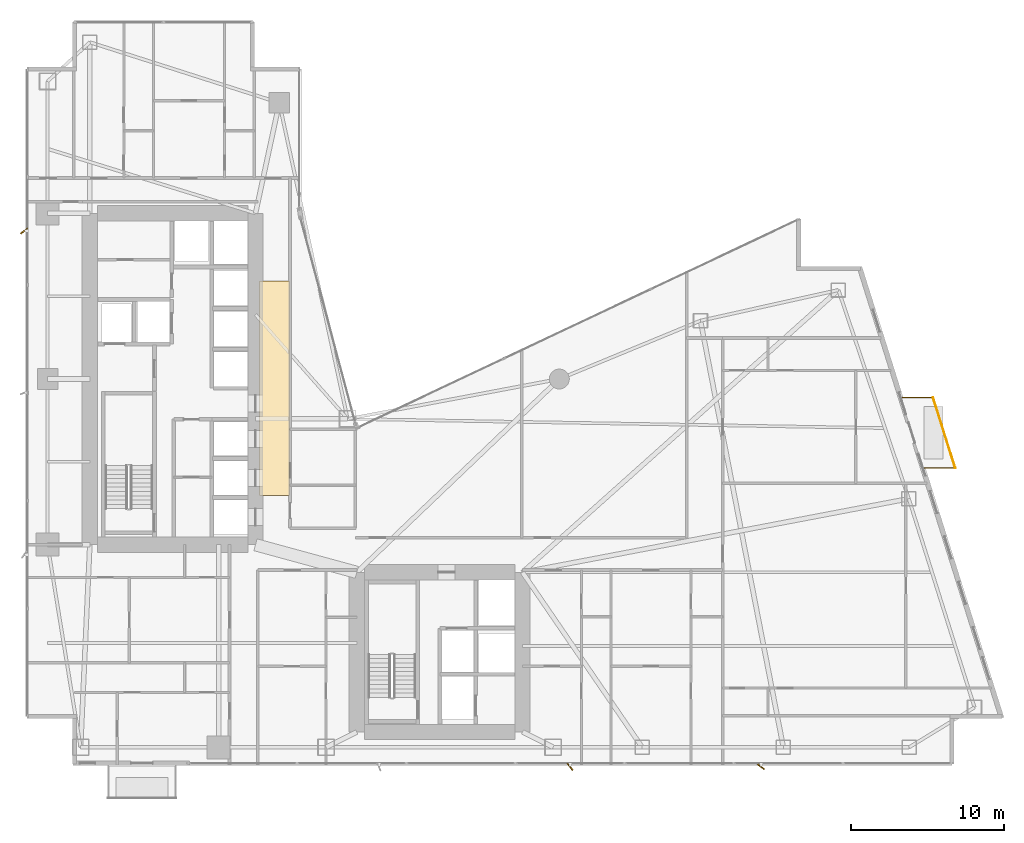
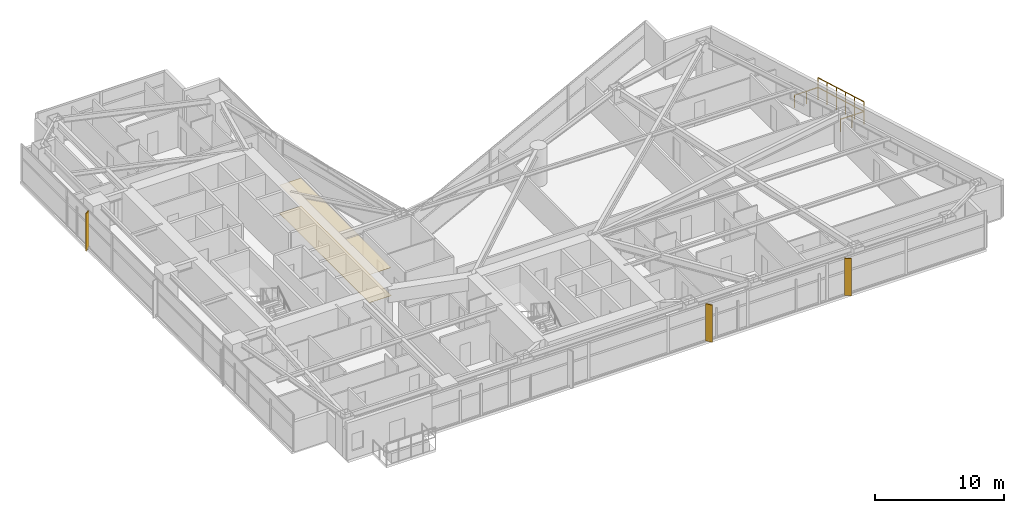
# One storey, part 28 of 28: 3 shading devices, 2 coverings, 2 railings.
"""IFC4 building model written with IfcOpenShell, lengths in metres."""

from ifc_helpers import new_model, si_unit, direction, frame, origin, origin_2d, place, context, subcontext, project, spatial, rectangle, circle, extrude, material, layer, layer_set, type_object, element, save


model = new_model("IFC4")

# Units and contexts
model_context = context("Model", 3, precision=1e-05, world=origin(), true_north=direction((0.0, 1.0)))
body_context = subcontext(model_context, "Body", "Model", "MODEL_VIEW")
ifc_project = project(units=[si_unit("LENGTHUNIT", "METRE"), si_unit("AREAUNIT", "SQUARE_METRE"), si_unit("VOLUMEUNIT", "CUBIC_METRE"), si_unit("PLANEANGLEUNIT", "RADIAN"), si_unit("MASSUNIT", "GRAM", prefix="KILO")], contexts=[model_context])

# Site, building, storey
site_placement = place(None, origin())
site = spatial("IfcSite", under=ifc_project, at=site_placement, CompositionType="ELEMENT")
building_placement = place(site_placement, origin())
building = spatial("IfcBuilding", under=site, at=building_placement, Name="Calvorn Quay Hotel", CompositionType="ELEMENT")
storey_placement = place(building_placement, frame((0.0, 0.0, 88.800048828125)))
storey = spatial("IfcBuildingStorey", under=building, at=storey_placement, Name="L21", CompositionType="ELEMENT", Elevation=88.800048828125)

# Coverings
ifc_material_1 = material(Name="Mineral-Fibre Acoustic Ceiling Tile")
ifc_layer_1 = layer(ifc_material_1, 0.02001953125)
ifc_layer_set_1 = layer_set([ifc_layer_1], Name="COV-CEILING-ACOUSTIC")
covering_type_1 = type_object("IfcCoveringType", Name="COV-CEILING-ACOUSTIC", PredefinedType="CEILING", material=ifc_layer_set_1)
covering_1_placement = place(storey_placement, frame((16.25, 27.0, 2.659912109375), z_axis=(0.0, 0.0, 1.0), x_axis=(1.0, 0.0, 0.0)))
element("IfcCovering", 1, at=covering_1_placement, inside=storey, type_object=covering_type_1, Name="Acoustic Suspended Ceiling (L21)", PredefinedType="CEILING", context=body_context, shape_type="SweptSolid", body=[
    extrude(rectangle(XDim=1.9599609375, YDim=14.0, at=origin_2d()), origin(), (0.0, 0.0, 1.0), 0.02001953125),
])
ifc_material_2 = material(Name="Woven Wool Hospitality Carpet")
ifc_layer_2 = layer(ifc_material_2, 0.02392578125)
ifc_layer_set_2 = layer_set([ifc_layer_2], Name="COV-FLOOR-CARPET")
covering_type_2 = type_object("IfcCoveringType", Name="COV-FLOOR-CARPET", PredefinedType="FLOORING", material=ifc_layer_set_2)
covering_2_placement = place(storey_placement, frame((16.25, 27.0, 0.0), z_axis=(0.0, 0.0, 1.0), x_axis=(1.0, 0.0, 0.0)))
element("IfcCovering", 2, at=covering_2_placement, inside=storey, type_object=covering_type_2, Name="Interior Floor Finish (L21)", PredefinedType="FLOORING", context=body_context, shape_type="SweptSolid", body=[
    extrude(rectangle(XDim=1.9599609375, YDim=14.0, at=origin_2d()), origin(), (0.0, 0.0, 1.0), 0.02392578125),
])

# Railings
ifc_material_3 = material(Name="Pale Anodised Aluminium and Laminated Glass", Category="aluminium")
railing_type = type_object("IfcRailingType", Name="RLG-BALUSTRADE-1200", PredefinedType="BALUSTRADE", material=ifc_material_3)
railing_1_placement = place(storey_placement, frame((58.506103515625, 21.800048828125, 0.0)))
element("IfcRailing", 3, at=railing_1_placement, inside=storey, type_object=railing_type, Name="Tree Balcony Perimeter Balustrade L21-BALC-E", PredefinedType="BALUSTRADE", context=body_context, shape_type="SweptSolid", body=[
    extrude(circle(Radius=0.02392578125, at=origin_2d()), frame((0.0, 0.0, 1.17578125), z_axis=(1.0, 0.0, 0.0), x_axis=(0.0, 1.0, 0.0)), (0.0, 0.0, 1.0), 2.099853515625),
    extrude(circle(Radius=0.02392578125, at=origin_2d()), frame((2.099853515625, 0.0, 1.17578125), z_axis=(-0.300450487966, 0.953797412599, 0.0), x_axis=(-0.953797412599, -0.300450487966, 0.0)), (0.0, 0.0, 1.0), 4.82275390625),
    extrude(circle(Radius=0.02392578125, at=origin_2d()), frame((0.65087890625, 4.599853515625, 1.17578125), z_axis=(-1.0, 0.0, 0.0), x_axis=(0.0, -1.0, 0.0)), (0.0, 0.0, 1.0), 2.10009765625),
    extrude(circle(Radius=0.02099609375, at=origin_2d()), origin(), (0.0, 0.0, 1.0), 1.15185546875),
    extrude(circle(Radius=0.02099609375, at=origin_2d()), frame((1.0498046875, 0.0, 0.0)), (0.0, 0.0, 1.0), 1.15185546875),
    extrude(circle(Radius=0.02099609375, at=origin_2d()), frame((2.099853515625, 0.0, 0.0)), (0.0, 0.0, 1.0), 1.15185546875),
    extrude(circle(Radius=0.02099609375, at=origin_2d()), frame((1.81005859375, 0.919921875, 0.0)), (0.0, 0.0, 1.0), 1.15185546875),
    extrude(circle(Radius=0.02099609375, at=origin_2d()), frame((1.520263671875, 1.83984375, 0.0)), (0.0, 0.0, 1.0), 1.15185546875),
    extrude(circle(Radius=0.02099609375, at=origin_2d()), frame((1.23046875, 2.760009765625, 0.0)), (0.0, 0.0, 1.0), 1.15185546875),
    extrude(circle(Radius=0.02099609375, at=origin_2d()), frame((0.940673828125, 3.679931640625, 0.0)), (0.0, 0.0, 1.0), 1.15185546875),
    extrude(circle(Radius=0.02099609375, at=origin_2d()), frame((0.65087890625, 4.599853515625, 0.0)), (0.0, 0.0, 1.0), 1.15185546875),
    extrude(circle(Radius=0.02099609375, at=origin_2d()), frame((-0.399169921875, 4.599853515625, 0.0)), (0.0, 0.0, 1.0), 1.15185546875),
    extrude(circle(Radius=0.02099609375, at=origin_2d()), frame((-1.44921875, 4.599853515625, 0.0)), (0.0, 0.0, 1.0), 1.15185546875),
])
railing_2_placement = place(storey_placement, frame((60.60595703125, 21.800048828125, 0.89990234375)))
element("IfcRailing", 4, at=railing_2_placement, inside=storey, type_object=railing_type, Name="Planter Kerb High Safety Screen L21-BALC-E", PredefinedType="BALUSTRADE", context=body_context, shape_type="SweptSolid", body=[
    extrude(circle(Radius=0.02392578125, at=origin_2d()), frame((0.0, 0.0, 1.19580078125), z_axis=(-0.300450487966, 0.953797412599, 0.0), x_axis=(-0.953797412599, -0.300450487966, 0.0)), (0.0, 0.0, 1.0), 4.82275390625),
    extrude(circle(Radius=0.02099609375, at=origin_2d()), origin(), (0.0, 0.0, 1.0), 1.171875),
    extrude(circle(Radius=0.02099609375, at=origin_2d()), frame((-0.289794921875, 0.919921875, 0.0)), (0.0, 0.0, 1.0), 1.171875),
    extrude(circle(Radius=0.02099609375, at=origin_2d()), frame((-0.57958984375, 1.83984375, 0.0)), (0.0, 0.0, 1.0), 1.171875),
    extrude(circle(Radius=0.02099609375, at=origin_2d()), frame((-0.869384765625, 2.760009765625, 0.0)), (0.0, 0.0, 1.0), 1.171875),
    extrude(circle(Radius=0.02099609375, at=origin_2d()), frame((-1.1591796875, 3.679931640625, 0.0)), (0.0, 0.0, 1.0), 1.171875),
    extrude(circle(Radius=0.02099609375, at=origin_2d()), frame((-1.448974609375, 4.599853515625, 0.0)), (0.0, 0.0, 1.0), 1.171875),
])

# Shading devices
ifc_material_4 = material(Name="Champagne Bronze Anodised Aluminium 6063-T6", Category="aluminium")
shading_device_type_1 = type_object("IfcShadingDeviceType", Name="SHD-FIN-A2", PredefinedType="USERDEFINED", material=ifc_material_4)
for number, where, z_axis, x_axis, name in (
    (5, (-0.080078125, 37.25, 0.0), (0.0, 0.0, 1.0), (0.788010753607, 0.615661475326, 0.0), "Diagonal Sun-Shading Fin L21-W03"),
    (6, (35.5, 2.320068359375, 0.0), (0.0, 0.0, 1.0), (-0.615661475326, 0.788010753607, 0.0), "Diagonal Sun-Shading Fin L21-S02"),
):
    element("IfcShadingDevice", number, at=place(storey_placement, frame(where, z_axis=z_axis, x_axis=x_axis)), inside=storey, type_object=shading_device_type_1, Name=name, ObjectType="FIN", PredefinedType="USERDEFINED", context=body_context, shape_type="SweptSolid", body=[
        extrude(rectangle(XDim=0.550048828125, YDim=0.080078125, at=origin_2d()), origin(), (0.0, 0.0, 1.0), 3.52001953125),
    ])
ifc_material_5 = material(Name="Champagne Bronze Anodised Aluminium 6063-T6", Category="aluminium")
shading_device_type_2 = type_object("IfcShadingDeviceType", Name="SHD-FIN-A3", PredefinedType="USERDEFINED", material=ifc_material_5)
shading_device_placement = place(storey_placement, frame((47.949951171875, 2.320068359375, 0.0), z_axis=(0.0, 0.0, 1.0), x_axis=(-0.809016994375, 0.587785252292, 0.0)))
element("IfcShadingDevice", 7, at=shading_device_placement, inside=storey, type_object=shading_device_type_2, Name="Diagonal Sun-Shading Fin L21-S03", ObjectType="FIN", PredefinedType="USERDEFINED", context=body_context, shape_type="SweptSolid", body=[
    extrude(rectangle(XDim=0.550048828125, YDim=0.080078125, at=origin_2d()), origin(), (0.0, 0.0, 1.0), 3.52001953125),
])

save(model, "model.ifc")
